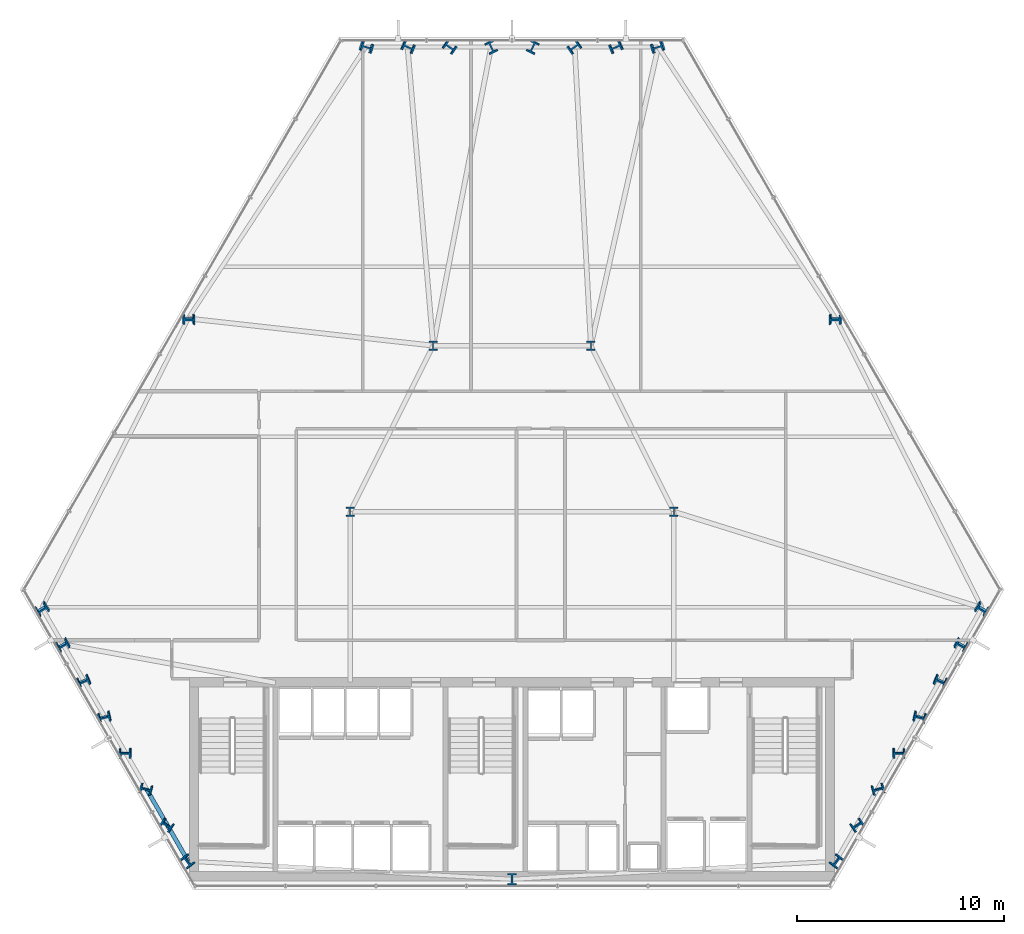
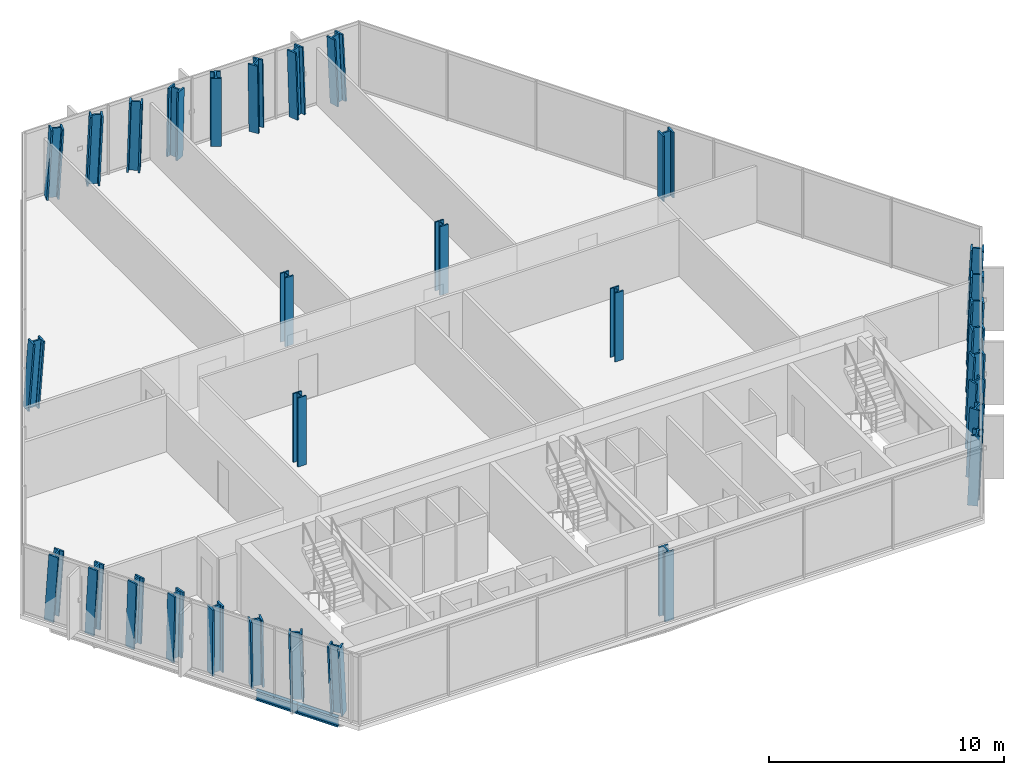
# One storey, part 1 of 33: 31 columns, 2 beams.
"""IFC4 building model written with IfcOpenShell, lengths in metres."""

from ifc_helpers import new_model, si_unit, direction, frame, origin, origin_2d, place, context, subcontext, project, spatial, i_section, extrude, material, material_profile, profile_set, type_object, element, save


model = new_model("IFC4")

# Units and contexts
model_context = context("Model", 3, precision=1e-05, world=origin(), true_north=direction((0.0, 1.0)))
body_context = subcontext(model_context, "Body", "Model", "MODEL_VIEW")
ifc_project = project(units=[si_unit("LENGTHUNIT", "METRE"), si_unit("AREAUNIT", "SQUARE_METRE"), si_unit("VOLUMEUNIT", "CUBIC_METRE"), si_unit("PLANEANGLEUNIT", "RADIAN"), si_unit("MASSUNIT", "GRAM", prefix="KILO")], contexts=[model_context])

# Site, building, storey
site_placement = place(None, origin())
site = spatial("IfcSite", under=ifc_project, at=site_placement, CompositionType="ELEMENT")
building_placement = place(site_placement, origin())
building = spatial("IfcBuilding", under=site, at=building_placement, Name="Ndaravel Arena Tower", CompositionType="ELEMENT")
storey_placement = place(building_placement, frame((0.0, 0.0, 43.60009765625)))
storey = spatial("IfcBuildingStorey", under=building, at=storey_placement, Name="L08", CompositionType="ELEMENT", Elevation=43.60009765625)

# Columns
ifc_material_1 = material(Name="Steel S460", Category="steel")
ifc_material_profile_1 = material_profile(ifc_material_1, i_section(OverallWidth=0.41845703125, OverallDepth=0.45556640625, WebThickness=0.0419921875, FlangeThickness=0.0673828125, FilletRadius=0.01513671875, at=origin_2d()), Name="UC 356x406x551")
ifc_profile_set_1 = profile_set([ifc_material_profile_1], Name="Steel S460")
column_type_1 = type_object("IfcColumnType", Name="COL-INT-UC551", PredefinedType="COLUMN", material=ifc_profile_set_1)
for number, where, z_axis, x_axis, name in (
    (1, (34.199951171875, 23.199951171875, 0.0), (0.0, 0.0, 1.0), (1.0, 0.0, 0.0), "L08 Interior Spine Column IC-01"),
    (2, (49.800048828125, 23.199951171875, 0.0), (0.0, 0.0, 1.0), (1.0, 0.0, 0.0), "L08 Interior Spine Column IC-02"),
    (3, (38.199951171875, 31.199951171875, 0.0), (0.0, 0.0, 1.0), (1.0, 0.0, 0.0), "L08 Interior Spine Column IC-03"),
    (4, (45.800048828125, 31.199951171875, 0.0), (0.0, 0.0, 1.0), (1.0, 0.0, 0.0), "L08 Interior Spine Column IC-04"),
):
    element("IfcColumn", number, at=place(storey_placement, frame(where, z_axis=z_axis, x_axis=x_axis)), inside=storey, type_object=column_type_1, Name=name, PredefinedType="COLUMN", context=body_context, shape_type="SweptSolid", body=[
        extrude(i_section(OverallWidth=0.41845703125, OverallDepth=0.45556640625, WebThickness=0.0419921875, FlangeThickness=0.0673828125, FilletRadius=0.01513671875, at=origin_2d()), origin(), (0.0, 0.0, 1.0), 3.579833984375),
    ])
ifc_material_2 = material(Name="Steel S460", Category="steel")
ifc_material_profile_2 = material_profile(ifc_material_2, i_section(OverallWidth=0.4541015625, OverallDepth=0.569091796875, WebThickness=0.077880859375, FlangeThickness=0.080078125, FilletRadius=0.014892578125, at=origin_2d()), Name="HD 400x1086")
ifc_profile_set_2 = profile_set([ifc_material_profile_2], Name="Steel S460")
column_type_2 = type_object("IfcColumnType", Name="COL-TUBE-HD1086", PredefinedType="COLUMN", material=ifc_profile_set_2)
column_1_placement = place(storey_placement, frame((42.0, 5.47998046875, 0.0), z_axis=(0.0, 0.0, 1.0), x_axis=(1.0, 0.0, 0.0)))
element("IfcColumn", 5, at=column_1_placement, inside=storey, type_object=column_type_2, Name="L08 Framed Tube Column TC-01", PredefinedType="COLUMN", context=body_context, shape_type="SweptSolid", body=[
    extrude(i_section(OverallWidth=0.4541015625, OverallDepth=0.569091796875, WebThickness=0.077880859375, FlangeThickness=0.080078125, FilletRadius=0.014892578125, at=origin_2d()), origin(), (0.0, 0.0, 1.0), 3.579833984375),
])
column_2_placement = place(storey_placement, frame((57.60693359375, 6.351806640625, 0.0), z_axis=(0.049518600028, -0.006811361764, 0.998749975521), x_axis=(-0.78874036788, 0.613200429939, 0.043288160025)))
element("IfcColumn", 6, at=column_2_placement, inside=storey, type_object=column_type_2, Name="L08 Framed Tube Column TC-02", PredefinedType="COLUMN", context=body_context, shape_type="SweptSolid", body=[
    extrude(i_section(OverallWidth=0.4541015625, OverallDepth=0.569091796875, WebThickness=0.077880859375, FlangeThickness=0.080078125, FilletRadius=0.014892578125, at=origin_2d()), origin(), (0.0, 0.0, 1.0), 3.584228515625),
])
column_3_placement = place(storey_placement, frame((58.613525390625, 8.095703125, 0.0), z_axis=(0.041692690137, -0.020437593205, 0.998921430531), x_axis=(-0.556704828438, 0.829736555946, 0.040211711232)))
element("IfcColumn", 7, at=column_3_placement, inside=storey, type_object=column_type_2, Name="L08 Framed Tube Column TC-03", PredefinedType="COLUMN", context=body_context, shape_type="SweptSolid", body=[
    extrude(i_section(OverallWidth=0.4541015625, OverallDepth=0.569091796875, WebThickness=0.077880859375, FlangeThickness=0.080078125, FilletRadius=0.014892578125, at=origin_2d()), origin(), (0.0, 0.0, 1.0), 3.583740234375),
])
column_4_placement = place(storey_placement, frame((59.620361328125, 9.83935546875, 0.0), z_axis=(0.033855728951, -0.034060089488, 0.998846184315), x_axis=(-0.255206953934, 0.965991555659, 0.041589963441)))
element("IfcColumn", 8, at=column_4_placement, inside=storey, type_object=column_type_2, Name="L08 Framed Tube Column TC-04", PredefinedType="COLUMN", context=body_context, shape_type="SweptSolid", body=[
    extrude(i_section(OverallWidth=0.4541015625, OverallDepth=0.569091796875, WebThickness=0.077880859375, FlangeThickness=0.080078125, FilletRadius=0.014892578125, at=origin_2d()), origin(), (0.0, 0.0, 1.0), 3.583984375),
])
column_5_placement = place(storey_placement, frame((60.627197265625, 11.5830078125, 0.0), z_axis=(0.025945557191, -0.047600904137, 0.998529409676), x_axis=(0.025159853701, 0.998580351425, 0.046949584763)))
element("IfcColumn", 9, at=column_5_placement, inside=storey, type_object=column_type_2, Name="L08 Framed Tube Column TC-05", PredefinedType="COLUMN", context=body_context, shape_type="SweptSolid", body=[
    extrude(i_section(OverallWidth=0.4541015625, OverallDepth=0.569091796875, WebThickness=0.077880859375, FlangeThickness=0.080078125, FilletRadius=0.014892578125, at=origin_2d()), origin(), (0.0, 0.0, 1.0), 3.585205078125),
])
column_6_placement = place(storey_placement, frame((61.6337890625, 13.326904296875, 0.0), z_axis=(0.018103855794, -0.061253647423, 0.997958035732), x_axis=(0.234534805675, 0.970532640224, 0.055315632401)))
element("IfcColumn", 10, at=column_6_placement, inside=storey, type_object=column_type_2, Name="L08 Framed Tube Column TC-06", PredefinedType="COLUMN", context=body_context, shape_type="SweptSolid", body=[
    extrude(i_section(OverallWidth=0.4541015625, OverallDepth=0.569091796875, WebThickness=0.077880859375, FlangeThickness=0.080078125, FilletRadius=0.014892578125, at=origin_2d()), origin(), (0.0, 0.0, 1.0), 3.587158203125),
])
column_7_placement = place(storey_placement, frame((62.640625, 15.070556640625, 0.0), z_axis=(0.010200686453, -0.074737029415, 0.997151103108), x_axis=(0.378624510243, 0.923242233688, 0.065324254129)))
element("IfcColumn", 11, at=column_7_placement, inside=storey, type_object=column_type_2, Name="L08 Framed Tube Column TC-07", PredefinedType="COLUMN", context=body_context, shape_type="SweptSolid", body=[
    extrude(i_section(OverallWidth=0.4541015625, OverallDepth=0.569091796875, WebThickness=0.077880859375, FlangeThickness=0.080078125, FilletRadius=0.014892578125, at=origin_2d()), origin(), (0.0, 0.0, 1.0), 3.590087890625),
])
column_8_placement = place(storey_placement, frame((63.6474609375, 16.814453125, 0.0), z_axis=(0.002377627447, -0.088311876593, 0.99609003576), x_axis=(0.476602394605, 0.875783464655, 0.076508042027)))
element("IfcColumn", 12, at=column_8_placement, inside=storey, type_object=column_type_2, Name="L08 Framed Tube Column TC-08", PredefinedType="COLUMN", context=body_context, shape_type="SweptSolid", body=[
    extrude(i_section(OverallWidth=0.4541015625, OverallDepth=0.569091796875, WebThickness=0.077880859375, FlangeThickness=0.080078125, FilletRadius=0.014892578125, at=origin_2d()), origin(), (0.0, 0.0, 1.0), 3.593994140625),
])
column_9_placement = place(storey_placement, frame((64.654052734375, 18.55810546875, 0.0), z_axis=(-0.005427503727, -0.101765694887, 0.994793589418), x_axis=(0.545172741525, 0.833665038285, 0.088256930829)))
element("IfcColumn", 13, at=column_9_placement, inside=storey, type_object=column_type_2, Name="L08 Framed Tube Column TC-09", PredefinedType="COLUMN", context=body_context, shape_type="SweptSolid", body=[
    extrude(i_section(OverallWidth=0.4541015625, OverallDepth=0.569091796875, WebThickness=0.077880859375, FlangeThickness=0.080078125, FilletRadius=0.014892578125, at=origin_2d()), origin(), (0.0, 0.0, 1.0), 3.5986328125),
])
column_10_placement = place(storey_placement, frame((57.605712890625, 32.510009765625, 0.0), z_axis=(-0.036051012774, -0.062579116514, 0.997388679831), x_axis=(-0.002076880302, 0.998039989459, 0.062544911938)))
element("IfcColumn", 14, at=column_10_placement, inside=storey, type_object=column_type_2, Name="L08 Framed Tube Column TC-10", PredefinedType="COLUMN", context=body_context, shape_type="SweptSolid", body=[
    extrude(i_section(OverallWidth=0.4541015625, OverallDepth=0.569091796875, WebThickness=0.077880859375, FlangeThickness=0.080078125, FilletRadius=0.014892578125, at=origin_2d()), origin(), (0.0, 0.0, 1.0), 3.589111328125),
])
column_11_placement = place(storey_placement, frame((49.04736328125, 45.590087890625, 0.0), z_axis=(-0.055013865525, -0.016340752136, 0.998351869042), x_axis=(0.284734573133, -0.958606396214, 0.0)))
element("IfcColumn", 15, at=column_11_placement, inside=storey, type_object=column_type_2, Name="L08 Framed Tube Column TC-11", PredefinedType="COLUMN", context=body_context, shape_type="SweptSolid", body=[
    extrude(i_section(OverallWidth=0.4541015625, OverallDepth=0.569091796875, WebThickness=0.077880859375, FlangeThickness=0.080078125, FilletRadius=0.014892578125, at=origin_2d()), origin(), (0.0, 0.0, 1.0), 3.585693359375),
])
column_12_placement = place(storey_placement, frame((47.03369140625, 45.590087890625, 0.0), z_axis=(-0.03931505736, -0.016352883477, 0.999093043448), x_axis=(0.384047194619, -0.92331346373, 0.0)))
element("IfcColumn", 16, at=column_12_placement, inside=storey, type_object=column_type_2, Name="L08 Framed Tube Column TC-12", PredefinedType="COLUMN", context=body_context, shape_type="SweptSolid", body=[
    extrude(i_section(OverallWidth=0.4541015625, OverallDepth=0.569091796875, WebThickness=0.077880859375, FlangeThickness=0.080078125, FilletRadius=0.014892578125, at=origin_2d()), origin(), (0.0, 0.0, 1.0), 3.5830078125),
])
column_13_placement = place(storey_placement, frame((45.020263671875, 45.590087890625, 0.0), z_axis=(-0.023587084023, -0.016360983137, 0.999587898935), x_axis=(0.569950683589, -0.821678902173, 0.0)))
element("IfcColumn", 17, at=column_13_placement, inside=storey, type_object=column_type_2, Name="L08 Framed Tube Column TC-13", PredefinedType="COLUMN", context=body_context, shape_type="SweptSolid", body=[
    extrude(i_section(OverallWidth=0.4541015625, OverallDepth=0.569091796875, WebThickness=0.077880859375, FlangeThickness=0.080078125, FilletRadius=0.014892578125, at=origin_2d()), origin(), (0.0, 0.0, 1.0), 3.581298828125),
])
for number, where, z_axis, x_axis, name in (
    (18, (43.0068359375, 45.590087890625, 0.0), (-0.007909761745, -0.016365024301, 0.999834797178), (0.900348952842, -0.43516866054, 0.0), "L08 Framed Tube Column TC-14"),
    (19, (40.9931640625, 45.590087890625, 0.0), (0.007909761745, -0.016365024301, 0.999834797178), (0.900348952842, 0.43516866054, 0.0), "L08 Framed Tube Column TC-15"),
):
    element("IfcColumn", number, at=place(storey_placement, frame(where, z_axis=z_axis, x_axis=x_axis)), inside=storey, type_object=column_type_2, Name=name, PredefinedType="COLUMN", context=body_context, shape_type="SweptSolid", body=[
        extrude(i_section(OverallWidth=0.4541015625, OverallDepth=0.569091796875, WebThickness=0.077880859375, FlangeThickness=0.080078125, FilletRadius=0.014892578125, at=origin_2d()), origin(), (0.0, 0.0, 1.0), 3.580322265625),
    ])
column_14_placement = place(storey_placement, frame((38.979736328125, 45.590087890625, 0.0), z_axis=(0.023587084023, -0.016360983137, 0.999587898935), x_axis=(0.569950683589, 0.821678902173, 0.0)))
element("IfcColumn", 20, at=column_14_placement, inside=storey, type_object=column_type_2, Name="L08 Framed Tube Column TC-16", PredefinedType="COLUMN", context=body_context, shape_type="SweptSolid", body=[
    extrude(i_section(OverallWidth=0.4541015625, OverallDepth=0.569091796875, WebThickness=0.077880859375, FlangeThickness=0.080078125, FilletRadius=0.014892578125, at=origin_2d()), origin(), (0.0, 0.0, 1.0), 3.581298828125),
])
column_15_placement = place(storey_placement, frame((36.96630859375, 45.590087890625, 0.0), z_axis=(0.03931505736, -0.016352883477, 0.999093043448), x_axis=(0.384047194619, 0.92331346373, 0.0)))
element("IfcColumn", 21, at=column_15_placement, inside=storey, type_object=column_type_2, Name="L08 Framed Tube Column TC-17", PredefinedType="COLUMN", context=body_context, shape_type="SweptSolid", body=[
    extrude(i_section(OverallWidth=0.4541015625, OverallDepth=0.569091796875, WebThickness=0.077880859375, FlangeThickness=0.080078125, FilletRadius=0.014892578125, at=origin_2d()), origin(), (0.0, 0.0, 1.0), 3.5830078125),
])
column_16_placement = place(storey_placement, frame((34.95263671875, 45.590087890625, 0.0), z_axis=(0.055013865525, -0.016340752136, 0.998351869042), x_axis=(0.284734573133, 0.958606396214, 0.0)))
element("IfcColumn", 22, at=column_16_placement, inside=storey, type_object=column_type_2, Name="L08 Framed Tube Column TC-18", PredefinedType="COLUMN", context=body_context, shape_type="SweptSolid", body=[
    extrude(i_section(OverallWidth=0.4541015625, OverallDepth=0.569091796875, WebThickness=0.077880859375, FlangeThickness=0.080078125, FilletRadius=0.014892578125, at=origin_2d()), origin(), (0.0, 0.0, 1.0), 3.585693359375),
])
column_17_placement = place(storey_placement, frame((26.394287109375, 32.510009765625, 0.0), z_axis=(0.036051012774, -0.062579116514, 0.997388679831), x_axis=(0.002076880302, 0.998039989459, 0.062544911938)))
element("IfcColumn", 23, at=column_17_placement, inside=storey, type_object=column_type_2, Name="L08 Framed Tube Column TC-19", PredefinedType="COLUMN", context=body_context, shape_type="SweptSolid", body=[
    extrude(i_section(OverallWidth=0.4541015625, OverallDepth=0.569091796875, WebThickness=0.077880859375, FlangeThickness=0.080078125, FilletRadius=0.014892578125, at=origin_2d()), origin(), (0.0, 0.0, 1.0), 3.589111328125),
])
column_18_placement = place(storey_placement, frame((19.345947265625, 18.55810546875, 0.0), z_axis=(0.005427503727, -0.101765694887, 0.994793589418), x_axis=(-0.545172741525, 0.833665038285, 0.088256930829)))
element("IfcColumn", 24, at=column_18_placement, inside=storey, type_object=column_type_2, Name="L08 Framed Tube Column TC-20", PredefinedType="COLUMN", context=body_context, shape_type="SweptSolid", body=[
    extrude(i_section(OverallWidth=0.4541015625, OverallDepth=0.569091796875, WebThickness=0.077880859375, FlangeThickness=0.080078125, FilletRadius=0.014892578125, at=origin_2d()), origin(), (0.0, 0.0, 1.0), 3.5986328125),
])
column_19_placement = place(storey_placement, frame((20.3525390625, 16.814453125, 0.0), z_axis=(-0.002377627447, -0.088311876593, 0.99609003576), x_axis=(-0.476602394605, 0.875783464655, 0.076508042027)))
element("IfcColumn", 25, at=column_19_placement, inside=storey, type_object=column_type_2, Name="L08 Framed Tube Column TC-21", PredefinedType="COLUMN", context=body_context, shape_type="SweptSolid", body=[
    extrude(i_section(OverallWidth=0.4541015625, OverallDepth=0.569091796875, WebThickness=0.077880859375, FlangeThickness=0.080078125, FilletRadius=0.014892578125, at=origin_2d()), origin(), (0.0, 0.0, 1.0), 3.593994140625),
])
column_20_placement = place(storey_placement, frame((21.359375, 15.070556640625, 0.0), z_axis=(-0.010200686453, -0.074737029415, 0.997151103108), x_axis=(-0.378624510243, 0.923242233688, 0.065324254129)))
element("IfcColumn", 26, at=column_20_placement, inside=storey, type_object=column_type_2, Name="L08 Framed Tube Column TC-22", PredefinedType="COLUMN", context=body_context, shape_type="SweptSolid", body=[
    extrude(i_section(OverallWidth=0.4541015625, OverallDepth=0.569091796875, WebThickness=0.077880859375, FlangeThickness=0.080078125, FilletRadius=0.014892578125, at=origin_2d()), origin(), (0.0, 0.0, 1.0), 3.590087890625),
])
column_21_placement = place(storey_placement, frame((22.3662109375, 13.326904296875, 0.0), z_axis=(-0.018103855794, -0.061253647423, 0.997958035732), x_axis=(-0.234534805675, 0.970532640224, 0.055315632401)))
element("IfcColumn", 27, at=column_21_placement, inside=storey, type_object=column_type_2, Name="L08 Framed Tube Column TC-23", PredefinedType="COLUMN", context=body_context, shape_type="SweptSolid", body=[
    extrude(i_section(OverallWidth=0.4541015625, OverallDepth=0.569091796875, WebThickness=0.077880859375, FlangeThickness=0.080078125, FilletRadius=0.014892578125, at=origin_2d()), origin(), (0.0, 0.0, 1.0), 3.587158203125),
])
column_22_placement = place(storey_placement, frame((23.372802734375, 11.5830078125, 0.0), z_axis=(-0.025945557191, -0.047600904137, 0.998529409676), x_axis=(-0.025159853701, 0.998580351425, 0.046949584763)))
element("IfcColumn", 28, at=column_22_placement, inside=storey, type_object=column_type_2, Name="L08 Framed Tube Column TC-24", PredefinedType="COLUMN", context=body_context, shape_type="SweptSolid", body=[
    extrude(i_section(OverallWidth=0.4541015625, OverallDepth=0.569091796875, WebThickness=0.077880859375, FlangeThickness=0.080078125, FilletRadius=0.014892578125, at=origin_2d()), origin(), (0.0, 0.0, 1.0), 3.585205078125),
])
column_23_placement = place(storey_placement, frame((24.379638671875, 9.83935546875, 0.0), z_axis=(-0.033855728951, -0.034060089488, 0.998846184315), x_axis=(0.255206953934, 0.965991555659, 0.041589963441)))
element("IfcColumn", 29, at=column_23_placement, inside=storey, type_object=column_type_2, Name="L08 Framed Tube Column TC-25", PredefinedType="COLUMN", context=body_context, shape_type="SweptSolid", body=[
    extrude(i_section(OverallWidth=0.4541015625, OverallDepth=0.569091796875, WebThickness=0.077880859375, FlangeThickness=0.080078125, FilletRadius=0.014892578125, at=origin_2d()), origin(), (0.0, 0.0, 1.0), 3.583984375),
])
column_24_placement = place(storey_placement, frame((25.386474609375, 8.095703125, 0.0), z_axis=(-0.041692690137, -0.020437593205, 0.998921430531), x_axis=(0.556704828438, 0.829736555946, 0.040211711232)))
element("IfcColumn", 30, at=column_24_placement, inside=storey, type_object=column_type_2, Name="L08 Framed Tube Column TC-26", PredefinedType="COLUMN", context=body_context, shape_type="SweptSolid", body=[
    extrude(i_section(OverallWidth=0.4541015625, OverallDepth=0.569091796875, WebThickness=0.077880859375, FlangeThickness=0.080078125, FilletRadius=0.014892578125, at=origin_2d()), origin(), (0.0, 0.0, 1.0), 3.583740234375),
])
column_25_placement = place(storey_placement, frame((26.39306640625, 6.351806640625, 0.0), z_axis=(-0.049518600028, -0.006811361764, 0.998749975521), x_axis=(0.78874036788, 0.613200429939, 0.043288160025)))
element("IfcColumn", 31, at=column_25_placement, inside=storey, type_object=column_type_2, Name="L08 Framed Tube Column TC-27", PredefinedType="COLUMN", context=body_context, shape_type="SweptSolid", body=[
    extrude(i_section(OverallWidth=0.4541015625, OverallDepth=0.569091796875, WebThickness=0.077880859375, FlangeThickness=0.080078125, FilletRadius=0.014892578125, at=origin_2d()), origin(), (0.0, 0.0, 1.0), 3.584228515625),
])

# Beams
ifc_material_3 = material(Name="Steel S355", Category="steel")
ifc_material_profile_3 = material_profile(ifc_material_3, i_section(OverallWidth=0.199951171875, OverallDepth=0.5, WebThickness=0.01025390625, FlangeThickness=0.01611328125, FilletRadius=0.02099609375, at=origin_2d()), Name="IPE 500")
ifc_profile_set_3 = profile_set([ifc_material_profile_3], Name="Steel S355")
beam_type = type_object("IfcBeamType", Name="BM-SPAN-IPE500", PredefinedType="SPANDREL", material=ifc_profile_set_3)
beam_1_placement = place(storey_placement, frame((24.379638671875, 9.83935546875, -0.47021484375), z_axis=(0.500051323872, -0.865995769906, 0.0), x_axis=(0.865995769906, 0.500051323872, 0.0)))
element("IfcBeam", 32, at=beam_1_placement, inside=storey, type_object=beam_type, Name="L08 Perimeter Spandrel Beam SP-25", PredefinedType="SPANDREL", context=body_context, shape_type="SweptSolid", body=[
    extrude(i_section(OverallWidth=0.199951171875, OverallDepth=0.5, WebThickness=0.01025390625, FlangeThickness=0.01611328125, FilletRadius=0.02099609375, at=origin_2d()), origin(), (0.0, 0.0, 1.0), 2.013427734375),
])
beam_2_placement = place(storey_placement, frame((25.386474609375, 8.095703125, -0.47021484375), z_axis=(0.499907881037, -0.86607858216, 0.0), x_axis=(0.86607858216, 0.499907881037, 0.0)))
element("IfcBeam", 33, at=beam_2_placement, inside=storey, type_object=beam_type, Name="L08 Perimeter Spandrel Beam SP-26", PredefinedType="SPANDREL", context=body_context, shape_type="SweptSolid", body=[
    extrude(i_section(OverallWidth=0.199951171875, OverallDepth=0.5, WebThickness=0.01025390625, FlangeThickness=0.01611328125, FilletRadius=0.02099609375, at=origin_2d()), origin(), (0.0, 0.0, 1.0), 2.013671875),
])

save(model, "model.ifc")
